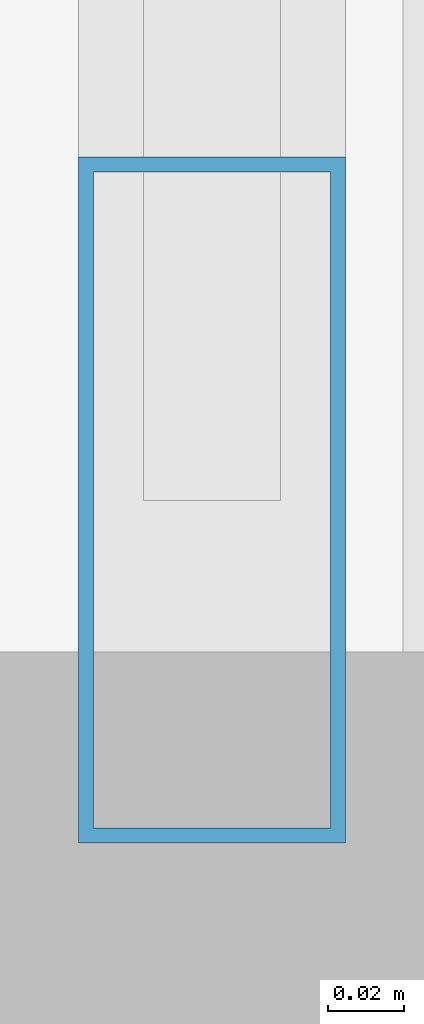
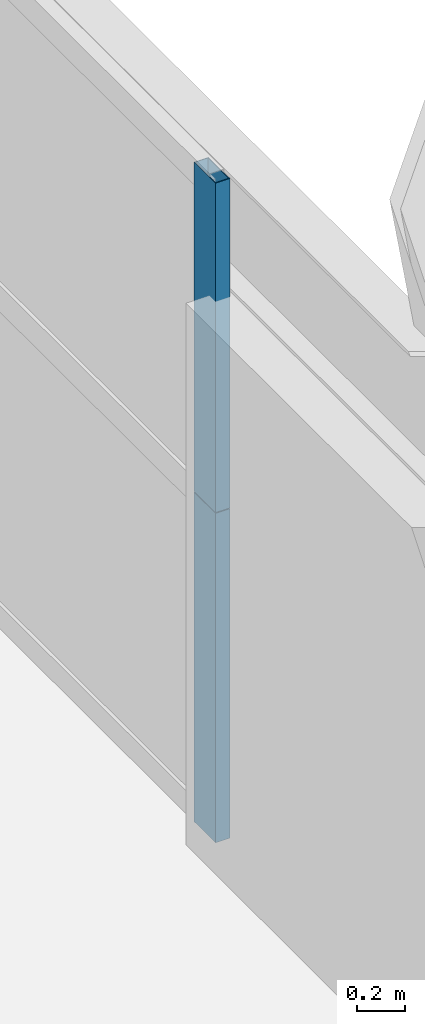
# One storey, part 19 of 43: 2 members, 1 element without a shape of its own.
"""IFC4 building model written with IfcOpenShell, lengths in metres."""

from ifc_helpers import new_model, si_unit, direction, frame, origin, origin_2d, place, context, subcontext, project, spatial, hollow_rectangle, extrude, source, transform, mapped, material, layer, layer_set, material_profile, profile_set, type_object, element, aggregate, save


model = new_model("IFC4")

# Units and contexts
model_context = context("Model", 3, precision=1e-05, world=origin(), true_north=direction((0.0, 1.0)))
body_context = subcontext(model_context, "Body", "Model", "MODEL_VIEW")
ifc_project = project(units=[si_unit("LENGTHUNIT", "METRE"), si_unit("AREAUNIT", "SQUARE_METRE"), si_unit("VOLUMEUNIT", "CUBIC_METRE"), si_unit("PLANEANGLEUNIT", "RADIAN"), si_unit("MASSUNIT", "GRAM", prefix="KILO"), si_unit("THERMODYNAMICTEMPERATUREUNIT", "KELVIN"), si_unit("POWERUNIT", "WATT")], contexts=[model_context])

# Site, building, storey
site_placement = place(None, origin())
site = spatial("IfcSite", under=ifc_project, at=site_placement, CompositionType="ELEMENT")
building_placement = place(site_placement, origin())
building = spatial("IfcBuilding", under=site, at=building_placement, Name="Yuzanri Waterfront Tower", CompositionType="ELEMENT")
storey_placement = place(building_placement, frame((0.0, 0.0, 138.0)))
storey = spatial("IfcBuildingStorey", under=building, at=storey_placement, Name="L36", CompositionType="ELEMENT", Elevation=138.0)

# Curtain wall, members
ifc_material_1 = material(Name="Anodized Architectural Bronze", Category="metal")
ifc_layer = layer(ifc_material_1, 0.159912109375)
ifc_layer_set = layer_set([ifc_layer], Name="Anodized Architectural Bronze")
curtain_wall_type = type_object("IfcCurtainWallType", Name="Anodized Bronze Hotel Upper-Tier Solar-Control Unitized Curtain Wall 7800", PredefinedType="NOTDEFINED", material=ifc_layer_set)
curtain_wall_placement = place(storey_placement, origin())
curtain_wall = element("IfcCurtainWall", 1, at=curtain_wall_placement, inside=storey, type_object=curtain_wall_type, Name="L36 Curtain Wall CW-L36-EL", PredefinedType="NOTDEFINED")
ifc_material_2 = material(Name="Anodized Architectural Bronze", Category="metal")
ifc_material_profile = material_profile(ifc_material_2, hollow_rectangle(XDim=0.070068359375, YDim=0.179931640625, WallThickness=0.00390625, at=origin_2d()), Name="CWM 70x180")
ifc_profile_set = profile_set([ifc_material_profile], Name="Anodized Architectural Bronze")
member_type = type_object("IfcMemberType", Name="Anodized Bronze Standard Curtain-Wall Mullion 70x180", PredefinedType="MULLION", material=ifc_profile_set)
shared_shape = source(origin(), body_context, "Body", "SweptSolid", [
    extrude(hollow_rectangle(XDim=0.070068359375, YDim=0.179931640625, WallThickness=0.00390625, at=origin_2d()), origin(), (0.0, 0.0, 1.0), 1.68798828125),
])
member_1_placement = place(storey_placement, frame((60.449951171875, 9.590087890625, 0.0), z_axis=(0.0, 0.0, 1.0), x_axis=(1.0, 0.0, 0.0)))
member_1 = element("IfcMember", 2, at=member_1_placement, type_object=member_type, Name="CW-L36-EL Lower Mullion 00", PredefinedType="MULLION", context=body_context, shape_type="MappedRepresentation", body=[
    mapped(shared_shape, transform((0.0, 0.0, 0.0), scale=1.0)),
])
member_2_placement = place(storey_placement, frame((60.449951171875, 9.590087890625, 1.69189453125), z_axis=(0.0, 0.0, 1.0), x_axis=(1.0, 0.0, 0.0)))
member_2 = element("IfcMember", 3, at=member_2_placement, type_object=member_type, Name="CW-L36-EL Upper Mullion 00", PredefinedType="MULLION", context=body_context, shape_type="MappedRepresentation", body=[
    mapped(shared_shape, transform((0.0, 0.0, 0.0), scale=1.0)),
])
aggregate(curtain_wall, [member_1, member_2])

save(model, "model.ifc")
